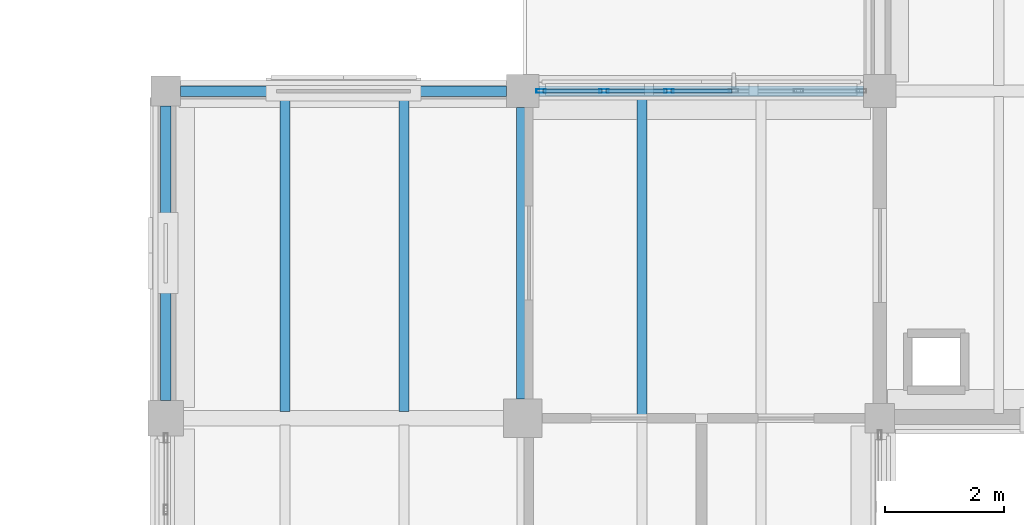
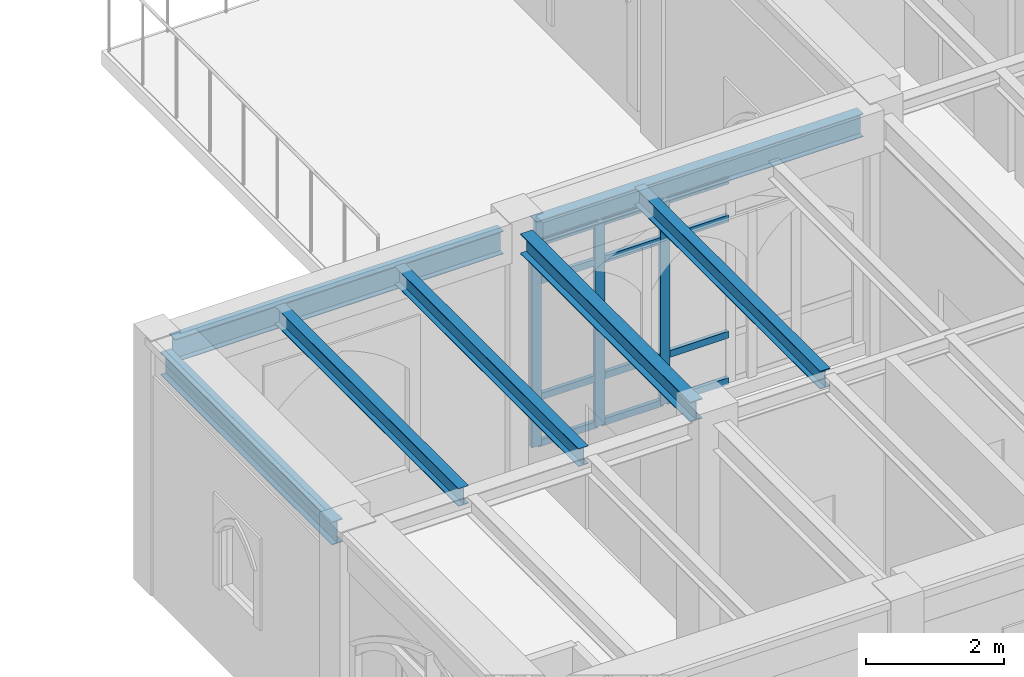
# One storey, part 44 of 127: 15 members, 7 beams, 1 element without a shape of its own.
"""IFC4 building model written with IfcOpenShell, lengths in metres."""

import ifcopenshell
import ifcopenshell.guid

model = None  # the IFC model being written
_history = None  # IfcOwnerHistory: only IFC2X3 demands one
_inside = {}  # id of a spatial element -> (the spatial element, [elements in it])
_under = {}  # id of a project, library or spatial element -> (it, [spatial elements below it])
_declared = {}  # id of a project -> (the project, [libraries it declares])
_typed = {}  # id of a type object -> (the type object, [elements of that type])
_made_of = {}  # id of a material, layer set ... -> (it, [elements and type objects made of it])


def new_model(schema):
    """Start an empty IFC model of exactly this schema.

    Asked for "IFC4X3", IfcOpenShell would pick the latest addendum, in which some entities
    have other attributes; the version numbers below select the first issue.
    IFC2X3 requires an IfcOwnerHistory on every rooted entity: one is made here for all.
    """
    global model, _history
    if schema == "IFC4X3":
        model = ifcopenshell.file(schema_version=(4, 3, 0, 0))
    else:
        model = ifcopenshell.file(schema=schema)
    _inside.clear()
    _under.clear()
    _declared.clear()
    _typed.clear()
    _made_of.clear()
    _history = None
    if model.schema == "IFC2X3":
        org = make("IfcOrganization", Name="unknown")
        user = make(
            "IfcPersonAndOrganization",
            ThePerson=make("IfcPerson", FamilyName="unknown"),
            TheOrganization=org,
        )
        app = make(
            "IfcApplication",
            ApplicationDeveloper=org,
            Version="unknown",
            ApplicationFullName="unknown",
            ApplicationIdentifier="unknown",
        )
        _history = make(
            "IfcOwnerHistory",
            OwningUser=user,
            OwningApplication=app,
            ChangeAction="ADDED",
            CreationDate=0,
        )
    return model


def make(cls, **values):
    """One entity of the class cls with the attributes given. An attribute that is None is left unset."""
    return model.create_entity(
        cls, **{name: value for name, value in values.items() if value is not None}
    )


def rooted(cls, **values):
    """An entity with a GlobalId (a new one), such as an element, a storey or a relation."""
    return make(cls, GlobalId=ifcopenshell.guid.new(), OwnerHistory=_history, **values)


def si_unit(unit_type, name, prefix=None):
    """IfcSIUnit, for example si_unit("LENGTHUNIT", "METRE", prefix="MILLI")."""
    return make("IfcSIUnit", UnitType=unit_type, Prefix=prefix, Name=name)


def assignment(units):
    """IfcUnitAssignment: the units of a project."""
    return None if units is None else make("IfcUnitAssignment", Units=units)


def point(xyz):
    """IfcCartesianPoint."""
    return None if xyz is None else make("IfcCartesianPoint", Coordinates=xyz)


def direction(xyz):
    """IfcDirection."""
    return None if xyz is None else make("IfcDirection", DirectionRatios=xyz)


def frame(location, z_axis=None, x_axis=None):
    """IfcAxis2Placement3D, a coordinate frame: its origin and axes. An axis left out is left unset."""
    return make(
        "IfcAxis2Placement3D",
        Location=point(location),
        Axis=direction(z_axis),
        RefDirection=direction(x_axis),
    )


def frame_2d(location, x_axis=None):
    """IfcAxis2Placement2D, a coordinate frame in the plane: its origin and x axis."""
    return make(
        "IfcAxis2Placement2D", Location=point(location), RefDirection=direction(x_axis)
    )


def origin():
    """The frame at (0, 0, 0) with its axes left unset."""
    return frame((0.0, 0.0, 0.0))


def origin_2d():
    """The frame at (0, 0) in the plane with its x axis left unset."""
    return frame_2d((0.0, 0.0))


def place(relative_to, where):
    """IfcLocalPlacement: puts the frame where relative to a parent placement (None: the world)."""
    return make(
        "IfcLocalPlacement", PlacementRelTo=relative_to, RelativePlacement=where
    )


def context(
    kind, dimensions, precision=None, world=None, true_north=None, identifier=None
):
    """IfcGeometricRepresentationContext, for example the 3D "Model" context."""
    return make(
        "IfcGeometricRepresentationContext",
        ContextIdentifier=identifier,
        ContextType=kind,
        CoordinateSpaceDimension=dimensions,
        Precision=precision,
        WorldCoordinateSystem=world,
        TrueNorth=true_north,
    )


def subcontext(parent, identifier, kind, view, scale=None):
    """IfcGeometricRepresentationSubContext, for example "Body" below "Model"."""
    return make(
        "IfcGeometricRepresentationSubContext",
        ContextIdentifier=identifier,
        ContextType=kind,
        ParentContext=parent,
        TargetScale=scale,
        TargetView=view,
    )


def project(units=None, contexts=None):
    """IfcProject with its units and contexts."""
    return rooted(
        "IfcProject",
        Name="project",
        RepresentationContexts=contexts,
        UnitsInContext=assignment(units),
    )


def spatial(cls, under=None, at=None, **own):
    """A site, building, storey or space (cls), placed at a placement, below another one or the project."""
    s = rooted(cls, ObjectPlacement=at, **own)
    if under is not None:
        _under.setdefault(under.id(), (under, []))[1].append(s)
    return s


def profile(cls, at=None, kind="AREA", **sizes):
    """A parametric profile (cls). Its sizes go by their IFC names, for example OverallWidth=200.0."""
    return make(cls, ProfileType=kind, Position=at, **sizes)


def hollow_rectangle(**sizes):
    """IfcRectangleHollowProfileDef."""
    return profile("IfcRectangleHollowProfileDef", **sizes)


def i_section(**sizes):
    """IfcIShapeProfileDef."""
    return profile("IfcIShapeProfileDef", **sizes)


def extrude(swept, where, along, depth):
    """IfcExtrudedAreaSolid: the profile swept, set in the frame where, extruded along a direction by depth."""
    return make(
        "IfcExtrudedAreaSolid",
        SweptArea=swept,
        Position=where,
        ExtrudedDirection=direction(along),
        Depth=depth,
    )


def shape(context_of_items, identifier, shape_type, items):
    """IfcShapeRepresentation: the items that make up one representation, for example the "Body"."""
    return make(
        "IfcShapeRepresentation",
        ContextOfItems=context_of_items,
        RepresentationIdentifier=identifier,
        RepresentationType=shape_type,
        Items=items,
    )


def material(Name=None, Category=None):
    """IfcMaterial."""
    return make("IfcMaterial", Name=Name, Category=Category)


def layer(
    of_material, thickness, ventilated=None, Name=None, Category=None, Priority=None
):
    """IfcMaterialLayer: one layer of a wall or slab, of a material (None: an air gap)."""
    return make(
        "IfcMaterialLayer",
        Material=of_material,
        LayerThickness=thickness,
        IsVentilated=ventilated,
        Name=Name,
        Category=Category,
        Priority=Priority,
    )


def layer_set(layers, Name=None):
    """IfcMaterialLayerSet."""
    return make("IfcMaterialLayerSet", MaterialLayers=layers, LayerSetName=Name)


def material_profile(
    of_material, cross_section, Name=None, Category=None, Priority=None
):
    """IfcMaterialProfile: a cross section and its material."""
    return make(
        "IfcMaterialProfile",
        Name=Name,
        Material=of_material,
        Profile=cross_section,
        Priority=Priority,
        Category=Category,
    )


def profile_set(profiles, Name=None, composite=None):
    """IfcMaterialProfileSet."""
    return make(
        "IfcMaterialProfileSet",
        Name=Name,
        MaterialProfiles=profiles,
        CompositeProfile=composite,
    )


def made_of(thing, what):
    """Note that an element or type object is made of a material, layer set ...; save() writes the relation."""
    if what is not None:
        _made_of.setdefault(what.id(), (what, []))[1].append(thing)
    return thing


def type_object(cls, material=None, **own):
    """A type object (cls), such as IfcWallType, which elements share."""
    return made_of(rooted(cls, **own), material)


def element(
    cls,
    number,
    at=None,
    inside=None,
    cuts=None,
    type_object=None,
    material=None,
    context=None,
    identifier="Body",
    shape_type=None,
    held_by="IfcProductDefinitionShape",
    body=None,
    shapes=None,
    **own,
):
    """One element of the class cls, such as IfcWall. Its Tag is "e" and its number.

    at: its placement. inside: the storey or other place that contains it. cuts: it is an
    opening in that element (IfcRelVoidsElement). A single representation is given by context,
    identifier, shape_type and body (its items); several are given by shapes. held_by: the class
    of the entity that holds the representations. save() writes the other relations.
    """
    e = rooted(cls, Tag="e%d" % number, ObjectPlacement=at, **own)
    if body is not None:
        shapes = [shape(context, identifier, shape_type, body)]
    if shapes is not None:
        e.Representation = make(held_by, Representations=shapes)
    if inside is not None:
        _inside.setdefault(inside.id(), (inside, []))[1].append(e)
    if cuts is not None:
        rooted(
            "IfcRelVoidsElement", RelatingBuildingElement=cuts, RelatedOpeningElement=e
        )
    if type_object is not None:
        _typed.setdefault(type_object.id(), (type_object, []))[1].append(e)
    return made_of(e, material)


def aggregate(whole, parts):
    """IfcRelAggregates: a whole, such as a stair, and the parts it consists of."""
    return rooted("IfcRelAggregates", RelatingObject=whole, RelatedObjects=parts)


def save(model, path):
    """Write the relations noted so far, then the file.

    IfcRelAggregates (storeys below a building ...), IfcRelContainedInSpatialStructure (elements
    in a storey), IfcRelDefinesByType, IfcRelAssociatesMaterial and IfcRelDeclares: one each for
    every whole, place, type object, material and project.
    """
    for whole, parts in _under.values():
        aggregate(whole, parts)
    for where, things in _inside.values():
        rooted(
            "IfcRelContainedInSpatialStructure",
            RelatedElements=things,
            RelatingStructure=where,
        )
    for kind, things in _typed.values():
        rooted("IfcRelDefinesByType", RelatedObjects=things, RelatingType=kind)
    for what, things in _made_of.values():
        rooted("IfcRelAssociatesMaterial", RelatedObjects=things, RelatingMaterial=what)
    for by, libraries in _declared.values():
        rooted("IfcRelDeclares", RelatingContext=by, RelatedDefinitions=libraries)
    model.write(path)


model = new_model("IFC4")

# Units and contexts
model_context = context("Model", 3, precision=1e-05, world=origin(), true_north=direction((0.0, 1.0)))
body_context = subcontext(model_context, "Body", "Model", "MODEL_VIEW")
ifc_project = project(units=[si_unit("LENGTHUNIT", "METRE"), si_unit("AREAUNIT", "SQUARE_METRE"), si_unit("VOLUMEUNIT", "CUBIC_METRE"), si_unit("PLANEANGLEUNIT", "RADIAN"), si_unit("MASSUNIT", "GRAM", prefix="KILO")], contexts=[model_context])

# Site, building, storey
site_placement = place(None, origin())
site = spatial("IfcSite", under=ifc_project, at=site_placement, CompositionType="ELEMENT")
building_placement = place(site_placement, origin())
building = spatial("IfcBuilding", under=site, at=building_placement, Name="Cumevento Cable Car Station", CompositionType="ELEMENT")
storey_placement = place(building_placement, frame((0.0, 0.0, 4.5)))
storey = spatial("IfcBuildingStorey", under=building, at=storey_placement, Name="L02", CompositionType="ELEMENT", Elevation=4.5)

# Curtain wall, members
ifc_material_1 = material(Name="Anodised Bronze Aluminium AW-6063-T6", Category="aluminium")
ifc_layer = layer(ifc_material_1, 0.166015625)
ifc_layer_set = layer_set([ifc_layer], Name="Anodised Bronze Aluminium AW-6063-T6")
curtain_wall_type = type_object("IfcCurtainWallType", Name="Lancet Curtain Wall CW-02 1090", PredefinedType="NOTDEFINED", material=ifc_layer_set)
curtain_wall_placement = place(storey_placement, origin())
curtain_wall = element("IfcCurtainWall", 1, at=curtain_wall_placement, inside=storey, type_object=curtain_wall_type, Name="Lancet Curtain Wall CW-02 L02 #33", PredefinedType="NOTDEFINED")
ifc_material_2 = material(Name="Anodised Bronze Aluminium AW-6063-T6", Category="aluminium")
ifc_material_profile_1 = material_profile(ifc_material_2, hollow_rectangle(XDim=0.06494140625, YDim=0.159912109375, WallThickness=0.00390625, at=origin_2d()), Name="ALUM65x160x4")
ifc_profile_set_1 = profile_set([ifc_material_profile_1], Name="Anodised Bronze Aluminium AW-6063-T6")
member_type_1 = type_object("IfcMemberType", Name="Curtain Mullion CWM-01 ALUM65x160x4", PredefinedType="MULLION", material=ifc_profile_set_1)
member_1_placement = place(storey_placement, frame((112.3076171875, 15.0, 0.2099609375), z_axis=(0.0, 0.0, 1.0), x_axis=(0.0, 1.0, 0.0)))
member_1 = element("IfcMember", 2, at=member_1_placement, type_object=member_type_1, Name="CW-02 mullion 1", PredefinedType="MULLION", context=body_context, shape_type="SweptSolid", body=[
    extrude(hollow_rectangle(XDim=0.06494140625, YDim=0.159912109375, WallThickness=0.00390625, at=origin_2d()), origin(), (0.0, 0.0, 1.0), 3.59912109375),
])
member_2_placement = place(storey_placement, frame((113.364990234375, 15.0, 0.2099609375), z_axis=(0.0, 0.0, 1.0), x_axis=(0.0, 1.0, 0.0)))
member_2 = element("IfcMember", 3, at=member_2_placement, type_object=member_type_1, Name="CW-02 mullion 2", PredefinedType="MULLION", context=body_context, shape_type="SweptSolid", body=[
    extrude(hollow_rectangle(XDim=0.06494140625, YDim=0.159912109375, WallThickness=0.00390625, at=origin_2d()), origin(), (0.0, 0.0, 1.0), 3.59912109375),
])
member_3_placement = place(storey_placement, frame((114.455078125, 15.0, 0.2099609375), z_axis=(0.0, 0.0, 1.0), x_axis=(0.0, 1.0, 0.0)))
member_3 = element("IfcMember", 4, at=member_3_placement, type_object=member_type_1, Name="CW-02 mullion 3", PredefinedType="MULLION", context=body_context, shape_type="SweptSolid", body=[
    extrude(hollow_rectangle(XDim=0.06494140625, YDim=0.159912109375, WallThickness=0.00390625, at=origin_2d()), origin(), (0.0, 0.0, 1.0), 3.59912109375),
])
ifc_material_3 = material(Name="Anodised Bronze Aluminium AW-6063-T6", Category="aluminium")
ifc_material_profile_2 = material_profile(ifc_material_3, hollow_rectangle(XDim=0.06494140625, YDim=0.1201171875, WallThickness=0.00390625, at=origin_2d()), Name="ALUT65x120x4")
ifc_profile_set_2 = profile_set([ifc_material_profile_2], Name="Anodised Bronze Aluminium AW-6063-T6")
member_type_2 = type_object("IfcMemberType", Name="Curtain Transom CWT-01 ALUT65x120x4", PredefinedType="USERDEFINED", material=ifc_profile_set_2)
member_4_placement = place(storey_placement, frame((112.340087890625, 15.0, 0.242431640625), z_axis=(1.0, 0.0, 0.0), x_axis=(0.0, 1.0, 0.0)))
member_4 = element("IfcMember", 5, at=member_4_placement, type_object=member_type_2, Name="CW-02 transom 1.1", ObjectType="TRANSOM", PredefinedType="USERDEFINED", context=body_context, shape_type="SweptSolid", body=[
    extrude(hollow_rectangle(XDim=0.06494140625, YDim=0.1201171875, WallThickness=0.00390625, at=origin_2d()), origin(), (0.0, 0.0, 1.0), 0.992431640625),
])
member_5_placement = place(storey_placement, frame((112.340087890625, 15.0, 1.06005859375), z_axis=(1.0, 0.0, 0.0), x_axis=(0.0, 1.0, 0.0)))
member_5 = element("IfcMember", 6, at=member_5_placement, type_object=member_type_2, Name="CW-02 transom 1.2", ObjectType="TRANSOM", PredefinedType="USERDEFINED", context=body_context, shape_type="SweptSolid", body=[
    extrude(hollow_rectangle(XDim=0.06494140625, YDim=0.1201171875, WallThickness=0.00390625, at=origin_2d()), origin(), (0.0, 0.0, 1.0), 0.992431640625),
])
member_6_placement = place(storey_placement, frame((112.340087890625, 15.0, 3.10888671875), z_axis=(1.0, 0.0, 0.0), x_axis=(0.0, 1.0, 0.0)))
member_6 = element("IfcMember", 7, at=member_6_placement, type_object=member_type_2, Name="CW-02 transom 1.3", ObjectType="TRANSOM", PredefinedType="USERDEFINED", context=body_context, shape_type="SweptSolid", body=[
    extrude(hollow_rectangle(XDim=0.06494140625, YDim=0.1201171875, WallThickness=0.00390625, at=origin_2d()), origin(), (0.0, 0.0, 1.0), 0.992431640625),
])
member_7_placement = place(storey_placement, frame((112.340087890625, 15.0, 3.776611328125), z_axis=(1.0, 0.0, 0.0), x_axis=(0.0, 1.0, 0.0)))
member_7 = element("IfcMember", 8, at=member_7_placement, type_object=member_type_2, Name="CW-02 transom 1.4", ObjectType="TRANSOM", PredefinedType="USERDEFINED", context=body_context, shape_type="SweptSolid", body=[
    extrude(hollow_rectangle(XDim=0.06494140625, YDim=0.1201171875, WallThickness=0.00390625, at=origin_2d()), origin(), (0.0, 0.0, 1.0), 0.992431640625),
])
member_8_placement = place(storey_placement, frame((113.3974609375, 15.0, 0.242431640625), z_axis=(1.0, 0.0, 0.0), x_axis=(0.0, 1.0, 0.0)))
member_8 = element("IfcMember", 9, at=member_8_placement, type_object=member_type_2, Name="CW-02 transom 2.1", ObjectType="TRANSOM", PredefinedType="USERDEFINED", context=body_context, shape_type="SweptSolid", body=[
    extrude(hollow_rectangle(XDim=0.06494140625, YDim=0.1201171875, WallThickness=0.00390625, at=origin_2d()), origin(), (0.0, 0.0, 1.0), 1.025146484375),
])
member_9_placement = place(storey_placement, frame((113.3974609375, 15.0, 1.06005859375), z_axis=(1.0, 0.0, 0.0), x_axis=(0.0, 1.0, 0.0)))
member_9 = element("IfcMember", 10, at=member_9_placement, type_object=member_type_2, Name="CW-02 transom 2.2", ObjectType="TRANSOM", PredefinedType="USERDEFINED", context=body_context, shape_type="SweptSolid", body=[
    extrude(hollow_rectangle(XDim=0.06494140625, YDim=0.1201171875, WallThickness=0.00390625, at=origin_2d()), origin(), (0.0, 0.0, 1.0), 1.025146484375),
])
member_10_placement = place(storey_placement, frame((113.3974609375, 15.0, 3.10888671875), z_axis=(1.0, 0.0, 0.0), x_axis=(0.0, 1.0, 0.0)))
member_10 = element("IfcMember", 11, at=member_10_placement, type_object=member_type_2, Name="CW-02 transom 2.3", ObjectType="TRANSOM", PredefinedType="USERDEFINED", context=body_context, shape_type="SweptSolid", body=[
    extrude(hollow_rectangle(XDim=0.06494140625, YDim=0.1201171875, WallThickness=0.00390625, at=origin_2d()), origin(), (0.0, 0.0, 1.0), 1.025146484375),
])
member_11_placement = place(storey_placement, frame((113.3974609375, 15.0, 3.776611328125), z_axis=(1.0, 0.0, 0.0), x_axis=(0.0, 1.0, 0.0)))
member_11 = element("IfcMember", 12, at=member_11_placement, type_object=member_type_2, Name="CW-02 transom 2.4", ObjectType="TRANSOM", PredefinedType="USERDEFINED", context=body_context, shape_type="SweptSolid", body=[
    extrude(hollow_rectangle(XDim=0.06494140625, YDim=0.1201171875, WallThickness=0.00390625, at=origin_2d()), origin(), (0.0, 0.0, 1.0), 1.025146484375),
])
member_12_placement = place(storey_placement, frame((114.487548828125, 15.0, 0.242431640625), z_axis=(1.0, 0.0, 0.0), x_axis=(0.0, 1.0, 0.0)))
member_12 = element("IfcMember", 13, at=member_12_placement, type_object=member_type_2, Name="CW-02 transom 3.1", ObjectType="TRANSOM", PredefinedType="USERDEFINED", context=body_context, shape_type="SweptSolid", body=[
    extrude(hollow_rectangle(XDim=0.06494140625, YDim=0.1201171875, WallThickness=0.00390625, at=origin_2d()), origin(), (0.0, 0.0, 1.0), 1.02490234375),
])
member_13_placement = place(storey_placement, frame((114.487548828125, 15.0, 1.06005859375), z_axis=(1.0, 0.0, 0.0), x_axis=(0.0, 1.0, 0.0)))
member_13 = element("IfcMember", 14, at=member_13_placement, type_object=member_type_2, Name="CW-02 transom 3.2", ObjectType="TRANSOM", PredefinedType="USERDEFINED", context=body_context, shape_type="SweptSolid", body=[
    extrude(hollow_rectangle(XDim=0.06494140625, YDim=0.1201171875, WallThickness=0.00390625, at=origin_2d()), origin(), (0.0, 0.0, 1.0), 1.02490234375),
])
member_14_placement = place(storey_placement, frame((114.487548828125, 15.0, 3.10888671875), z_axis=(1.0, 0.0, 0.0), x_axis=(0.0, 1.0, 0.0)))
member_14 = element("IfcMember", 15, at=member_14_placement, type_object=member_type_2, Name="CW-02 transom 3.3", ObjectType="TRANSOM", PredefinedType="USERDEFINED", context=body_context, shape_type="SweptSolid", body=[
    extrude(hollow_rectangle(XDim=0.06494140625, YDim=0.1201171875, WallThickness=0.00390625, at=origin_2d()), origin(), (0.0, 0.0, 1.0), 1.02490234375),
])
member_15_placement = place(storey_placement, frame((114.487548828125, 15.0, 3.776611328125), z_axis=(1.0, 0.0, 0.0), x_axis=(0.0, 1.0, 0.0)))
member_15 = element("IfcMember", 16, at=member_15_placement, type_object=member_type_2, Name="CW-02 transom 3.4", ObjectType="TRANSOM", PredefinedType="USERDEFINED", context=body_context, shape_type="SweptSolid", body=[
    extrude(hollow_rectangle(XDim=0.06494140625, YDim=0.1201171875, WallThickness=0.00390625, at=origin_2d()), origin(), (0.0, 0.0, 1.0), 1.02490234375),
])
aggregate(curtain_wall, [member_1, member_2, member_3, member_4, member_5, member_6, member_7, member_8, member_9, member_10, member_11, member_12, member_13, member_14, member_15])

# Beams
ifc_material_4 = material(Name="Steel ASTM A572 Grade 50", Category="steel")
ifc_material_profile_3 = material_profile(ifc_material_4, i_section(OverallWidth=0.205078125, OverallDepth=0.35400390625, WebThickness=0.009521484375, FlangeThickness=0.016845703125, at=origin_2d()), Name="W360x79.0")
ifc_profile_set_3 = profile_set([ifc_material_profile_3], Name="Steel ASTM A572 Grade 50")
beam_type_1 = type_object("IfcBeamType", Name="Structural Beam BM-05 W360x79.0", PredefinedType="BEAM", material=ifc_profile_set_3)
beam_1_placement = place(storey_placement, frame((112.0, 9.824951171875, 4.072998046875), z_axis=(0.0, 1.0, 0.0), x_axis=(-1.0, 0.0, 0.0)))
element("IfcBeam", 17, at=beam_1_placement, inside=storey, type_object=beam_type_1, Name="Beam BM-05 L02 #474", PredefinedType="BEAM", context=body_context, shape_type="SweptSolid", body=[
    extrude(i_section(OverallWidth=0.205078125, OverallDepth=0.35400390625, WebThickness=0.009521484375, FlangeThickness=0.016845703125, at=origin_2d()), origin(), (0.0, 0.0, 1.0), 4.900146484375),
])
ifc_material_5 = material(Name="Steel ASTM A572 Grade 50", Category="steel")
ifc_material_profile_4 = material_profile(ifc_material_5, i_section(OverallWidth=0.1669921875, OverallDepth=0.31689453125, WebThickness=0.007568359375, FlangeThickness=0.01318359375, at=origin_2d()), Name="W310x52.0")
ifc_profile_set_4 = profile_set([ifc_material_profile_4], Name="Steel ASTM A572 Grade 50")
beam_type_2 = type_object("IfcBeamType", Name="Structural Joist JS-02 W310x52.0", PredefinedType="JOIST", material=ifc_profile_set_4)
for number, where, z_axis, x_axis, name in (
    (18, (108.0, 9.614990234375, 4.091552734375), (0.0, 1.0, 0.0), (-1.0, 0.0, 0.0), "Composite Floor Joist JS-02 L02 #745"),
    (19, (110.0, 9.614990234375, 4.091552734375), (0.0, 1.0, 0.0), (-1.0, 0.0, 0.0), "Composite Floor Joist JS-02 L02 #747"),
):
    element("IfcBeam", number, at=place(storey_placement, frame(where, z_axis=z_axis, x_axis=x_axis)), inside=storey, type_object=beam_type_2, Name=name, PredefinedType="JOIST", context=body_context, shape_type="SweptSolid", body=[
        extrude(i_section(OverallWidth=0.1669921875, OverallDepth=0.31689453125, WebThickness=0.007568359375, FlangeThickness=0.01318359375, at=origin_2d()), origin(), (0.0, 0.0, 1.0), 5.30810546875),
    ])
beam_2_placement = place(storey_placement, frame((114.0, 9.56201171875, 4.091552734375), z_axis=(0.0, 1.0, 0.0), x_axis=(-1.0, 0.0, 0.0)))
element("IfcBeam", 20, at=beam_2_placement, inside=storey, type_object=beam_type_2, Name="Composite Floor Joist JS-02 L02 #749", PredefinedType="JOIST", context=body_context, shape_type="SweptSolid", body=[
    extrude(i_section(OverallWidth=0.1669921875, OverallDepth=0.31689453125, WebThickness=0.007568359375, FlangeThickness=0.01318359375, at=origin_2d()), origin(), (0.0, 0.0, 1.0), 5.361083984375),
])
ifc_material_6 = material(Name="Steel ASTM A572 Grade 50", Category="steel")
ifc_material_profile_5 = material_profile(ifc_material_6, i_section(OverallWidth=0.177978515625, OverallDepth=0.406982421875, WebThickness=0.0078125, FlangeThickness=0.0126953125, at=origin_2d()), Name="W410x60.0")
ifc_profile_set_5 = profile_set([ifc_material_profile_5], Name="Steel ASTM A572 Grade 50")
beam_type_3 = type_object("IfcBeamType", Name="Structural Spandrel SP-01 W410x60.0", PredefinedType="SPANDREL", material=ifc_profile_set_5)
beam_3_placement = place(storey_placement, frame((106.25, 15.0, 4.04638671875), z_axis=(1.0, 0.0, 0.0), x_axis=(0.0, 1.0, 0.0)))
element("IfcBeam", 21, at=beam_3_placement, inside=storey, type_object=beam_type_3, Name="Beam SP-01 L02 #469", PredefinedType="SPANDREL", context=body_context, shape_type="SweptSolid", body=[
    extrude(i_section(OverallWidth=0.177978515625, OverallDepth=0.406982421875, WebThickness=0.0078125, FlangeThickness=0.0126953125, at=origin_2d()), origin(), (0.0, 0.0, 1.0), 5.47509765625),
])
beam_4_placement = place(storey_placement, frame((112.27490234375, 15.0, 4.012451171875), z_axis=(1.0, 0.0, 0.0), x_axis=(0.0, 1.0, 0.0)))
element("IfcBeam", 22, at=beam_4_placement, inside=storey, type_object=beam_type_3, Name="Beam SP-01 L02 #470", PredefinedType="SPANDREL", context=body_context, shape_type="SweptSolid", body=[
    extrude(i_section(OverallWidth=0.177978515625, OverallDepth=0.406982421875, WebThickness=0.0078125, FlangeThickness=0.0126953125, at=origin_2d()), origin(), (0.0, 0.0, 1.0), 5.4501953125),
])
beam_5_placement = place(storey_placement, frame((106.0, 9.800048828125, 4.04638671875), z_axis=(0.0, 1.0, 0.0), x_axis=(-1.0, 0.0, 0.0)))
element("IfcBeam", 23, at=beam_5_placement, inside=storey, type_object=beam_type_3, Name="Beam SP-01 L02 #472", PredefinedType="SPANDREL", context=body_context, shape_type="SweptSolid", body=[
    extrude(i_section(OverallWidth=0.177978515625, OverallDepth=0.406982421875, WebThickness=0.0078125, FlangeThickness=0.0126953125, at=origin_2d()), origin(), (0.0, 0.0, 1.0), 4.949951171875),
])

save(model, "model.ifc")
